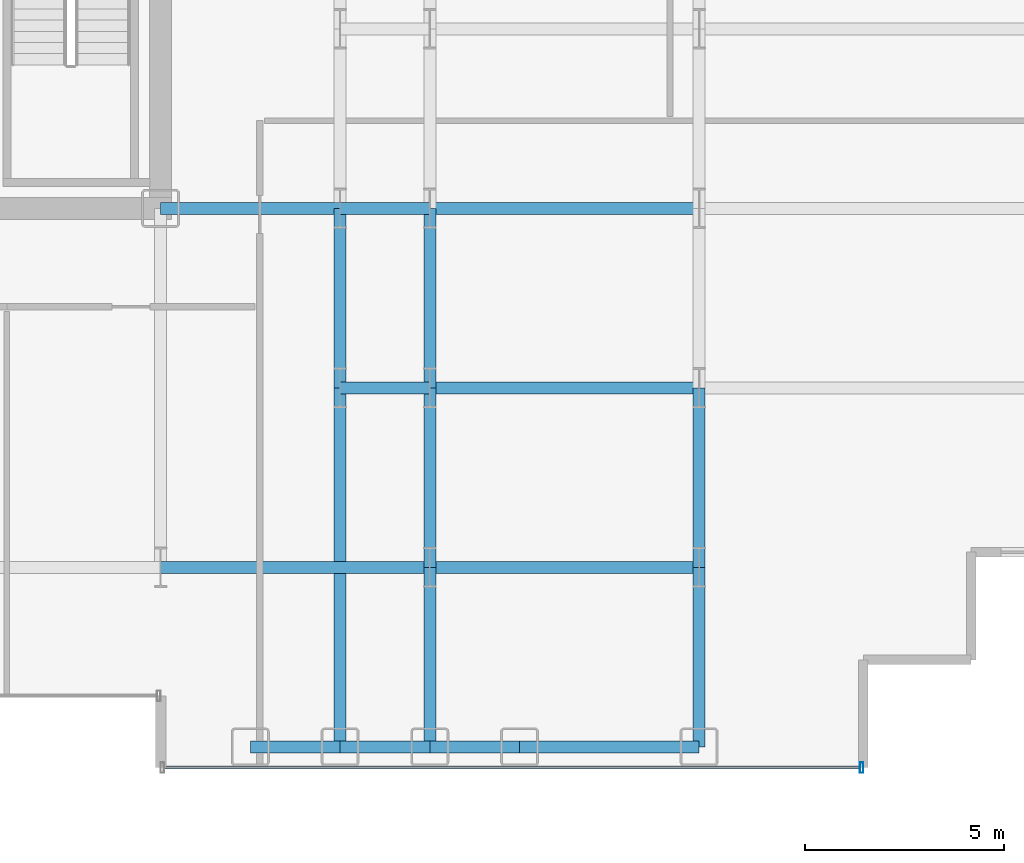
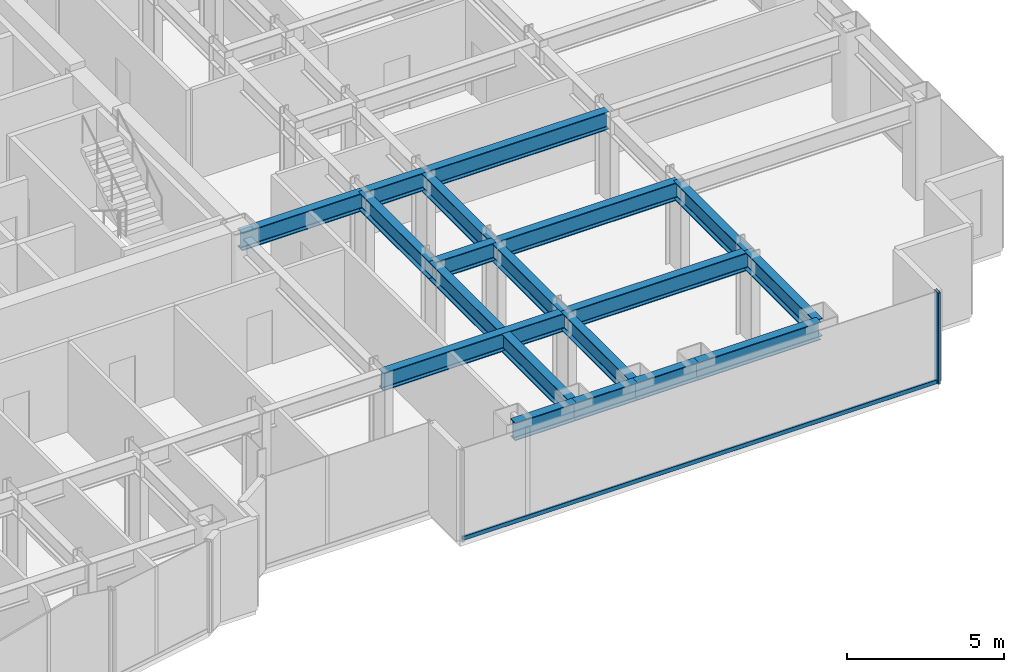
# One storey, part 7 of 25: 18 beams, 2 members, 1 element without a shape of its own.
"""IFC4 building model written with IfcOpenShell, lengths in metres."""

import ifcopenshell
import ifcopenshell.guid

model = None  # the IFC model being written
_history = None  # IfcOwnerHistory: only IFC2X3 demands one
_inside = {}  # id of a spatial element -> (the spatial element, [elements in it])
_under = {}  # id of a project, library or spatial element -> (it, [spatial elements below it])
_declared = {}  # id of a project -> (the project, [libraries it declares])
_typed = {}  # id of a type object -> (the type object, [elements of that type])
_made_of = {}  # id of a material, layer set ... -> (it, [elements and type objects made of it])


def new_model(schema):
    """Start an empty IFC model of exactly this schema.

    Asked for "IFC4X3", IfcOpenShell would pick the latest addendum, in which some entities
    have other attributes; the version numbers below select the first issue.
    IFC2X3 requires an IfcOwnerHistory on every rooted entity: one is made here for all.
    """
    global model, _history
    if schema == "IFC4X3":
        model = ifcopenshell.file(schema_version=(4, 3, 0, 0))
    else:
        model = ifcopenshell.file(schema=schema)
    _inside.clear()
    _under.clear()
    _declared.clear()
    _typed.clear()
    _made_of.clear()
    _history = None
    if model.schema == "IFC2X3":
        org = make("IfcOrganization", Name="unknown")
        user = make(
            "IfcPersonAndOrganization",
            ThePerson=make("IfcPerson", FamilyName="unknown"),
            TheOrganization=org,
        )
        app = make(
            "IfcApplication",
            ApplicationDeveloper=org,
            Version="unknown",
            ApplicationFullName="unknown",
            ApplicationIdentifier="unknown",
        )
        _history = make(
            "IfcOwnerHistory",
            OwningUser=user,
            OwningApplication=app,
            ChangeAction="ADDED",
            CreationDate=0,
        )
    return model


def make(cls, **values):
    """One entity of the class cls with the attributes given. An attribute that is None is left unset."""
    return model.create_entity(
        cls, **{name: value for name, value in values.items() if value is not None}
    )


def rooted(cls, **values):
    """An entity with a GlobalId (a new one), such as an element, a storey or a relation."""
    return make(cls, GlobalId=ifcopenshell.guid.new(), OwnerHistory=_history, **values)


def si_unit(unit_type, name, prefix=None):
    """IfcSIUnit, for example si_unit("LENGTHUNIT", "METRE", prefix="MILLI")."""
    return make("IfcSIUnit", UnitType=unit_type, Prefix=prefix, Name=name)


def assignment(units):
    """IfcUnitAssignment: the units of a project."""
    return None if units is None else make("IfcUnitAssignment", Units=units)


def point(xyz):
    """IfcCartesianPoint."""
    return None if xyz is None else make("IfcCartesianPoint", Coordinates=xyz)


def direction(xyz):
    """IfcDirection."""
    return None if xyz is None else make("IfcDirection", DirectionRatios=xyz)


def frame(location, z_axis=None, x_axis=None):
    """IfcAxis2Placement3D, a coordinate frame: its origin and axes. An axis left out is left unset."""
    return make(
        "IfcAxis2Placement3D",
        Location=point(location),
        Axis=direction(z_axis),
        RefDirection=direction(x_axis),
    )


def frame_2d(location, x_axis=None):
    """IfcAxis2Placement2D, a coordinate frame in the plane: its origin and x axis."""
    return make(
        "IfcAxis2Placement2D", Location=point(location), RefDirection=direction(x_axis)
    )


def origin():
    """The frame at (0, 0, 0) with its axes left unset."""
    return frame((0.0, 0.0, 0.0))


def origin_2d():
    """The frame at (0, 0) in the plane with its x axis left unset."""
    return frame_2d((0.0, 0.0))


def place(relative_to, where):
    """IfcLocalPlacement: puts the frame where relative to a parent placement (None: the world)."""
    return make(
        "IfcLocalPlacement", PlacementRelTo=relative_to, RelativePlacement=where
    )


def context(
    kind, dimensions, precision=None, world=None, true_north=None, identifier=None
):
    """IfcGeometricRepresentationContext, for example the 3D "Model" context."""
    return make(
        "IfcGeometricRepresentationContext",
        ContextIdentifier=identifier,
        ContextType=kind,
        CoordinateSpaceDimension=dimensions,
        Precision=precision,
        WorldCoordinateSystem=world,
        TrueNorth=true_north,
    )


def subcontext(parent, identifier, kind, view, scale=None):
    """IfcGeometricRepresentationSubContext, for example "Body" below "Model"."""
    return make(
        "IfcGeometricRepresentationSubContext",
        ContextIdentifier=identifier,
        ContextType=kind,
        ParentContext=parent,
        TargetScale=scale,
        TargetView=view,
    )


def project(units=None, contexts=None):
    """IfcProject with its units and contexts."""
    return rooted(
        "IfcProject",
        Name="project",
        RepresentationContexts=contexts,
        UnitsInContext=assignment(units),
    )


def spatial(cls, under=None, at=None, **own):
    """A site, building, storey or space (cls), placed at a placement, below another one or the project."""
    s = rooted(cls, ObjectPlacement=at, **own)
    if under is not None:
        _under.setdefault(under.id(), (under, []))[1].append(s)
    return s


def profile(cls, at=None, kind="AREA", **sizes):
    """A parametric profile (cls). Its sizes go by their IFC names, for example OverallWidth=200.0."""
    return make(cls, ProfileType=kind, Position=at, **sizes)


def hollow_rectangle(**sizes):
    """IfcRectangleHollowProfileDef."""
    return profile("IfcRectangleHollowProfileDef", **sizes)


def i_section(**sizes):
    """IfcIShapeProfileDef."""
    return profile("IfcIShapeProfileDef", **sizes)


def extrude(swept, where, along, depth):
    """IfcExtrudedAreaSolid: the profile swept, set in the frame where, extruded along a direction by depth."""
    return make(
        "IfcExtrudedAreaSolid",
        SweptArea=swept,
        Position=where,
        ExtrudedDirection=direction(along),
        Depth=depth,
    )


def shape(context_of_items, identifier, shape_type, items):
    """IfcShapeRepresentation: the items that make up one representation, for example the "Body"."""
    return make(
        "IfcShapeRepresentation",
        ContextOfItems=context_of_items,
        RepresentationIdentifier=identifier,
        RepresentationType=shape_type,
        Items=items,
    )


def source(mapping_origin, context_of_items, identifier, shape_type, items):
    """IfcRepresentationMap: a shape defined once, which mapped items show again and again."""
    return make(
        "IfcRepresentationMap",
        MappingOrigin=mapping_origin,
        MappedRepresentation=shape(context_of_items, identifier, shape_type, items),
    )


def transform(
    local_origin,
    x_axis=None,
    y_axis=None,
    z_axis=None,
    scale=None,
    scale2=None,
    scale3=None,
    uniform=True,
):
    """IfcCartesianTransformationOperator3D, or its non-uniform kind. x_axis, y_axis, z_axis: its Axis1, 2, 3."""
    if uniform:
        return make(
            "IfcCartesianTransformationOperator3D",
            Axis1=direction(x_axis),
            Axis2=direction(y_axis),
            LocalOrigin=point(local_origin),
            Scale=scale,
            Axis3=direction(z_axis),
        )
    return make(
        "IfcCartesianTransformationOperator3DnonUniform",
        Axis1=direction(x_axis),
        Axis2=direction(y_axis),
        LocalOrigin=point(local_origin),
        Scale=scale,
        Axis3=direction(z_axis),
        Scale2=scale2,
        Scale3=scale3,
    )


def mapped(mapping_source, mapping_target):
    """IfcMappedItem: shows the shape of a source again, moved by a transform."""
    return make(
        "IfcMappedItem", MappingSource=mapping_source, MappingTarget=mapping_target
    )


def material(Name=None, Category=None):
    """IfcMaterial."""
    return make("IfcMaterial", Name=Name, Category=Category)


def layer(
    of_material, thickness, ventilated=None, Name=None, Category=None, Priority=None
):
    """IfcMaterialLayer: one layer of a wall or slab, of a material (None: an air gap)."""
    return make(
        "IfcMaterialLayer",
        Material=of_material,
        LayerThickness=thickness,
        IsVentilated=ventilated,
        Name=Name,
        Category=Category,
        Priority=Priority,
    )


def layer_set(layers, Name=None):
    """IfcMaterialLayerSet."""
    return make("IfcMaterialLayerSet", MaterialLayers=layers, LayerSetName=Name)


def material_profile(
    of_material, cross_section, Name=None, Category=None, Priority=None
):
    """IfcMaterialProfile: a cross section and its material."""
    return make(
        "IfcMaterialProfile",
        Name=Name,
        Material=of_material,
        Profile=cross_section,
        Priority=Priority,
        Category=Category,
    )


def profile_set(profiles, Name=None, composite=None):
    """IfcMaterialProfileSet."""
    return make(
        "IfcMaterialProfileSet",
        Name=Name,
        MaterialProfiles=profiles,
        CompositeProfile=composite,
    )


def made_of(thing, what):
    """Note that an element or type object is made of a material, layer set ...; save() writes the relation."""
    if what is not None:
        _made_of.setdefault(what.id(), (what, []))[1].append(thing)
    return thing


def type_object(cls, material=None, **own):
    """A type object (cls), such as IfcWallType, which elements share."""
    return made_of(rooted(cls, **own), material)


def element(
    cls,
    number,
    at=None,
    inside=None,
    cuts=None,
    type_object=None,
    material=None,
    context=None,
    identifier="Body",
    shape_type=None,
    held_by="IfcProductDefinitionShape",
    body=None,
    shapes=None,
    **own,
):
    """One element of the class cls, such as IfcWall. Its Tag is "e" and its number.

    at: its placement. inside: the storey or other place that contains it. cuts: it is an
    opening in that element (IfcRelVoidsElement). A single representation is given by context,
    identifier, shape_type and body (its items); several are given by shapes. held_by: the class
    of the entity that holds the representations. save() writes the other relations.
    """
    e = rooted(cls, Tag="e%d" % number, ObjectPlacement=at, **own)
    if body is not None:
        shapes = [shape(context, identifier, shape_type, body)]
    if shapes is not None:
        e.Representation = make(held_by, Representations=shapes)
    if inside is not None:
        _inside.setdefault(inside.id(), (inside, []))[1].append(e)
    if cuts is not None:
        rooted(
            "IfcRelVoidsElement", RelatingBuildingElement=cuts, RelatedOpeningElement=e
        )
    if type_object is not None:
        _typed.setdefault(type_object.id(), (type_object, []))[1].append(e)
    return made_of(e, material)


def aggregate(whole, parts):
    """IfcRelAggregates: a whole, such as a stair, and the parts it consists of."""
    return rooted("IfcRelAggregates", RelatingObject=whole, RelatedObjects=parts)


def save(model, path):
    """Write the relations noted so far, then the file.

    IfcRelAggregates (storeys below a building ...), IfcRelContainedInSpatialStructure (elements
    in a storey), IfcRelDefinesByType, IfcRelAssociatesMaterial and IfcRelDeclares: one each for
    every whole, place, type object, material and project.
    """
    for whole, parts in _under.values():
        aggregate(whole, parts)
    for where, things in _inside.values():
        rooted(
            "IfcRelContainedInSpatialStructure",
            RelatedElements=things,
            RelatingStructure=where,
        )
    for kind, things in _typed.values():
        rooted("IfcRelDefinesByType", RelatedObjects=things, RelatingType=kind)
    for what, things in _made_of.values():
        rooted("IfcRelAssociatesMaterial", RelatedObjects=things, RelatingMaterial=what)
    for by, libraries in _declared.values():
        rooted("IfcRelDeclares", RelatingContext=by, RelatedDefinitions=libraries)
    model.write(path)


model = new_model("IFC4")

# Units and contexts
model_context = context("Model", 3, precision=1e-05, world=origin(), true_north=direction((0.0, 1.0)))
body_context = subcontext(model_context, "Body", "Model", "MODEL_VIEW")
ifc_project = project(units=[si_unit("LENGTHUNIT", "METRE"), si_unit("AREAUNIT", "SQUARE_METRE"), si_unit("VOLUMEUNIT", "CUBIC_METRE"), si_unit("PLANEANGLEUNIT", "RADIAN"), si_unit("MASSUNIT", "GRAM", prefix="KILO")], contexts=[model_context])

# Site, building, storey
site_placement = place(None, origin())
site = spatial("IfcSite", under=ifc_project, at=site_placement, CompositionType="ELEMENT")
building_placement = place(site_placement, origin())
building = spatial("IfcBuilding", under=site, at=building_placement, Name="Nefas-Gora Pilgrimage Tower", CompositionType="ELEMENT")
storey_placement = place(building_placement, frame((0.0, 0.0, 98.39990234375)))
storey = spatial("IfcBuildingStorey", under=building, at=storey_placement, Name="L23", CompositionType="ELEMENT", Elevation=98.39990234375)

# Beams
ifc_material_1 = material(Name="Steel S355", Category="steel")
ifc_material_profile_1 = material_profile(ifc_material_1, i_section(OverallWidth=0.300048828125, OverallDepth=0.699951171875, WebThickness=0.01708984375, FlangeThickness=0.031982421875, FilletRadius=0.027099609375, at=origin_2d()), Name="HEB 700")
ifc_profile_set_1 = profile_set([ifc_material_profile_1], Name="Steel S355")
beam_type_1 = type_object("IfcBeamType", Name="BM-SPN-HEB600", PredefinedType="SPANDREL", material=ifc_profile_set_1)
shared_shape_1 = source(origin(), body_context, "Body", "SweptSolid", [
    extrude(i_section(OverallWidth=0.300048828125, OverallDepth=0.699951171875, WebThickness=0.01708984375, FlangeThickness=0.031982421875, FilletRadius=0.027099609375, at=origin_2d()), origin(), (0.0, 0.0, 1.0), 4.5),
])
beam_1_placement = place(storey_placement, frame((20.25, -22.5, 3.2001953125), z_axis=(1.0, 0.0, 0.0), x_axis=(0.0, 1.0, 0.0)))
element("IfcBeam", 1, at=beam_1_placement, inside=storey, type_object=beam_type_1, Name="L23 SP-01 beam", PredefinedType="SPANDREL", context=body_context, shape_type="MappedRepresentation", body=[
    mapped(shared_shape_1, transform((0.0, 0.0, 0.0), x_axis=(1.0, 0.0, 0.0), y_axis=(0.0, 1.0, 0.0), z_axis=(0.0, 0.0, 1.0), scale=1.0)),
])
ifc_material_profile_2 = material_profile(ifc_material_1, i_section(OverallWidth=0.300048828125, OverallDepth=0.699951171875, WebThickness=0.01708984375, FlangeThickness=0.031982421875, FilletRadius=0.027099609375, at=origin_2d()), Name="HEB 700")
ifc_profile_set_2 = profile_set([ifc_material_profile_2], Name="Steel S355")
beam_type_2 = type_object("IfcBeamType", Name="BM-GIR-HEB700", PredefinedType="BEAM", material=ifc_profile_set_2)
shared_shape_2 = source(origin(), body_context, "Body", "SweptSolid", [
    extrude(i_section(OverallWidth=0.300048828125, OverallDepth=0.699951171875, WebThickness=0.01708984375, FlangeThickness=0.031982421875, FilletRadius=0.027099609375, at=origin_2d()), origin(), (0.0, 0.0, 1.0), 9.0),
])
beam_2_placement = place(storey_placement, frame((15.75, -22.5, 3.2001953125), z_axis=(0.0, 1.0, 0.0), x_axis=(-1.0, 0.0, 0.0)))
element("IfcBeam", 2, at=beam_2_placement, inside=storey, type_object=beam_type_2, Name="L23 G-02 beam", PredefinedType="BEAM", context=body_context, shape_type="MappedRepresentation", body=[
    mapped(shared_shape_2, transform((0.0, 0.0, 0.0), x_axis=(1.0, 0.0, 0.0), y_axis=(0.0, 1.0, 0.0), z_axis=(0.0, 0.0, 1.0), scale=1.0)),
])
shared_shape_3 = source(origin(), body_context, "Body", "SweptSolid", [
    extrude(i_section(OverallWidth=0.300048828125, OverallDepth=0.699951171875, WebThickness=0.01708984375, FlangeThickness=0.031982421875, FilletRadius=0.027099609375, at=origin_2d()), origin(), (0.0, 0.0, 1.0), 4.5),
])
for number, where, z_axis, x_axis, name in (
    (3, (11.25, -9.0, 3.2001953125), (1.0, 0.0, 0.0), (0.0, 1.0, 0.0), "L23 G-02 beam"),
    (4, (15.75, -13.5, 3.2001953125), (0.0, 1.0, 0.0), (-1.0, 0.0, 0.0), "L23 G-02 beam"),
    (5, (18.0, -22.5, 3.2001953125), (0.0, 1.0, 0.0), (-1.0, 0.0, 0.0), "L23 G-02 beam"),
    (6, (18.0, -18.0, 3.2001953125), (0.0, 1.0, 0.0), (-1.0, 0.0, 0.0), "L23 G-02 beam"),
    (7, (18.0, -13.5, 3.2001953125), (0.0, 1.0, 0.0), (-1.0, 0.0, 0.0), "L23 G-02 beam"),
    (8, (24.75, -22.5, 3.2001953125), (0.0, 1.0, 0.0), (-1.0, 0.0, 0.0), "L23 G-02 beam"),
    (9, (24.75, -18.0, 3.2001953125), (0.0, 1.0, 0.0), (-1.0, 0.0, 0.0), "L23 G-02 beam"),
):
    element("IfcBeam", number, at=place(storey_placement, frame(where, z_axis=z_axis, x_axis=x_axis)), inside=storey, type_object=beam_type_2, Name=name, PredefinedType="BEAM", context=body_context, shape_type="MappedRepresentation", body=[
        mapped(shared_shape_3, transform((0.0, 0.0, 0.0), x_axis=(1.0, 0.0, 0.0), y_axis=(0.0, 1.0, 0.0), z_axis=(0.0, 0.0, 1.0), scale=1.0)),
    ])
shared_shape_4 = source(origin(), body_context, "Body", "SweptSolid", [
    extrude(i_section(OverallWidth=0.300048828125, OverallDepth=0.699951171875, WebThickness=0.01708984375, FlangeThickness=0.031982421875, FilletRadius=0.027099609375, at=origin_2d()), origin(), (0.0, 0.0, 1.0), 6.75),
])
for number, where, z_axis, x_axis, name in (
    (10, (11.25, -18.0, 3.2001953125), (1.0, 0.0, 0.0), (0.0, 1.0, 0.0), "L23 G-02 beam"),
    (11, (18.0, -18.0, 3.2001953125), (1.0, 0.0, 0.0), (0.0, 1.0, 0.0), "L23 G-02 beam"),
    (12, (18.0, -13.5, 3.2001953125), (1.0, 0.0, 0.0), (0.0, 1.0, 0.0), "L23 G-02 beam"),
    (13, (18.0, -9.0, 3.2001953125), (1.0, 0.0, 0.0), (0.0, 1.0, 0.0), "L23 G-02 beam"),
):
    element("IfcBeam", number, at=place(storey_placement, frame(where, z_axis=z_axis, x_axis=x_axis)), inside=storey, type_object=beam_type_2, Name=name, PredefinedType="BEAM", context=body_context, shape_type="MappedRepresentation", body=[
        mapped(shared_shape_4, transform((0.0, 0.0, 0.0), x_axis=(1.0, 0.0, 0.0), y_axis=(0.0, 1.0, 0.0), z_axis=(0.0, 0.0, 1.0), scale=1.0)),
    ])
shared_shape_5 = source(origin(), body_context, "Body", "SweptSolid", [
    extrude(i_section(OverallWidth=0.300048828125, OverallDepth=0.699951171875, WebThickness=0.01708984375, FlangeThickness=0.031982421875, FilletRadius=0.027099609375, at=origin_2d()), origin(), (0.0, 0.0, 1.0), 2.25),
])
for number, where, z_axis, x_axis, name in (
    (14, (13.5, -22.5, 3.2001953125), (1.0, 0.0, 0.0), (0.0, 1.0, 0.0), "L23 SP-01 beam"),
    (15, (15.75, -22.5, 3.2001953125), (1.0, 0.0, 0.0), (0.0, 1.0, 0.0), "L23 SP-01 beam"),
    (16, (18.0, -22.5, 3.2001953125), (1.0, 0.0, 0.0), (0.0, 1.0, 0.0), "L23 SP-01 beam"),
):
    element("IfcBeam", number, at=place(storey_placement, frame(where, z_axis=z_axis, x_axis=x_axis)), inside=storey, type_object=beam_type_1, Name=name, PredefinedType="SPANDREL", context=body_context, shape_type="MappedRepresentation", body=[
        mapped(shared_shape_5, transform((0.0, 0.0, 0.0), x_axis=(1.0, 0.0, 0.0), y_axis=(0.0, 1.0, 0.0), z_axis=(0.0, 0.0, 1.0), scale=1.0)),
    ])
shared_shape_6 = source(origin(), body_context, "Body", "SweptSolid", [
    extrude(i_section(OverallWidth=0.300048828125, OverallDepth=0.699951171875, WebThickness=0.01708984375, FlangeThickness=0.031982421875, FilletRadius=0.027099609375, at=origin_2d()), origin(), (0.0, 0.0, 1.0), 2.25),
])
for number, where, z_axis, x_axis, name in (
    (17, (15.75, -13.5, 3.2001953125), (1.0, 0.0, 0.0), (0.0, 1.0, 0.0), "L23 G-02 beam"),
    (18, (15.75, -9.0, 3.2001953125), (1.0, 0.0, 0.0), (0.0, 1.0, 0.0), "L23 G-02 beam"),
):
    element("IfcBeam", number, at=place(storey_placement, frame(where, z_axis=z_axis, x_axis=x_axis)), inside=storey, type_object=beam_type_2, Name=name, PredefinedType="BEAM", context=body_context, shape_type="MappedRepresentation", body=[
        mapped(shared_shape_6, transform((0.0, 0.0, 0.0), x_axis=(1.0, 0.0, 0.0), y_axis=(0.0, 1.0, 0.0), z_axis=(0.0, 0.0, 1.0), scale=1.0)),
    ])

# Curtain wall, members
ifc_material_2 = material(Name="Dark ceramic-fritted solar-control aluminium-glass curtain wall", Category="aluminium")
ifc_layer = layer(ifc_material_2, 0.219970703125)
ifc_layer_set = layer_set([ifc_layer], Name="Dark ceramic-fritted solar-control aluminium-glass curtain wall")
curtain_wall_type = type_object("IfcCurtainWallType", Name="CW-SYS-2", PredefinedType="NOTDEFINED", material=ifc_layer_set)
curtain_wall_placement = place(storey_placement, origin())
curtain_wall = element("IfcCurtainWall", 19, at=curtain_wall_placement, inside=storey, type_object=curtain_wall_type, Name="L23 Unitised Curtain Wall CW2", PredefinedType="NOTDEFINED")
ifc_material_3 = material(Name="Anodised architectural aluminium", Category="aluminium")
ifc_material_profile_3 = material_profile(ifc_material_3, hollow_rectangle(XDim=0.090087890625, YDim=0.260009765625, WallThickness=0.006103515625, InnerFilletRadius=0.006103515625, OuterFilletRadius=0.011962890625, at=origin_2d()), Name="ALU MULLION 90x260")
ifc_profile_set_3 = profile_set([ifc_material_profile_3], Name="Anodised architectural aluminium")
member_type_1 = type_object("IfcMemberType", Name="CWM-MUL-2", PredefinedType="MULLION", material=ifc_profile_set_3)
shared_shape_7 = source(origin(), body_context, "Body", "SweptSolid", [
    extrude(hollow_rectangle(XDim=0.090087890625, YDim=0.260009765625, WallThickness=0.006103515625, InnerFilletRadius=0.006103515625, OuterFilletRadius=0.011962890625, at=origin_2d()), origin(), (0.0, 0.0, 1.0), 3.550048828125),
])
member_1_placement = place(storey_placement, frame((28.824951171875, -23.02001953125, 0.0), z_axis=(0.0, 0.0, 1.0), x_axis=(1.0, 0.0, 0.0)))
member_1 = element("IfcMember", 20, at=member_1_placement, type_object=member_type_1, Name="CW2 Mullion 2", PredefinedType="MULLION", context=body_context, shape_type="MappedRepresentation", body=[
    mapped(shared_shape_7, transform((0.0, 0.0, 0.0), x_axis=(1.0, 0.0, 0.0), y_axis=(0.0, 1.0, 0.0), z_axis=(0.0, 0.0, 1.0), scale=1.0)),
])
ifc_material_profile_4 = material_profile(ifc_material_3, hollow_rectangle(XDim=0.080078125, YDim=0.159912109375, WallThickness=0.00439453125, InnerFilletRadius=0.00439453125, OuterFilletRadius=0.009033203125, at=origin_2d()), Name="ALU TRANSOM 80x160")
ifc_profile_set_4 = profile_set([ifc_material_profile_4], Name="Anodised architectural aluminium")
member_type_2 = type_object("IfcMemberType", Name="CWM-TRN-2", PredefinedType="USERDEFINED", material=ifc_profile_set_4)
shared_shape_8 = source(origin(), body_context, "Body", "SweptSolid", [
    extrude(hollow_rectangle(XDim=0.080078125, YDim=0.159912109375, WallThickness=0.00439453125, InnerFilletRadius=0.00439453125, OuterFilletRadius=0.009033203125, at=origin_2d()), origin(), (0.0, 0.0, 1.0), 17.43994140625),
])
member_2_placement = place(storey_placement, frame((11.340087890625, -23.02001953125, 0.050048828125), z_axis=(1.0, 0.0, 0.0), x_axis=(0.0, 1.0, 0.0)))
member_2 = element("IfcMember", 21, at=member_2_placement, type_object=member_type_2, Name="CW2 Spandrel Transom", ObjectType="TRANSOM", PredefinedType="USERDEFINED", context=body_context, shape_type="MappedRepresentation", body=[
    mapped(shared_shape_8, transform((0.0, 0.0, 0.0), x_axis=(1.0, 0.0, 0.0), y_axis=(0.0, 1.0, 0.0), z_axis=(0.0, 0.0, 1.0), scale=1.0)),
])
aggregate(curtain_wall, [member_1, member_2])

save(model, "model.ifc")
